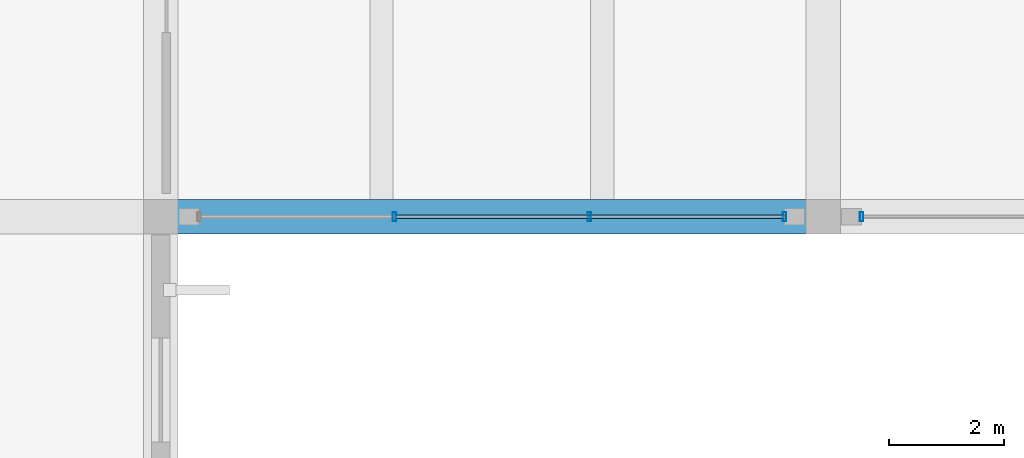
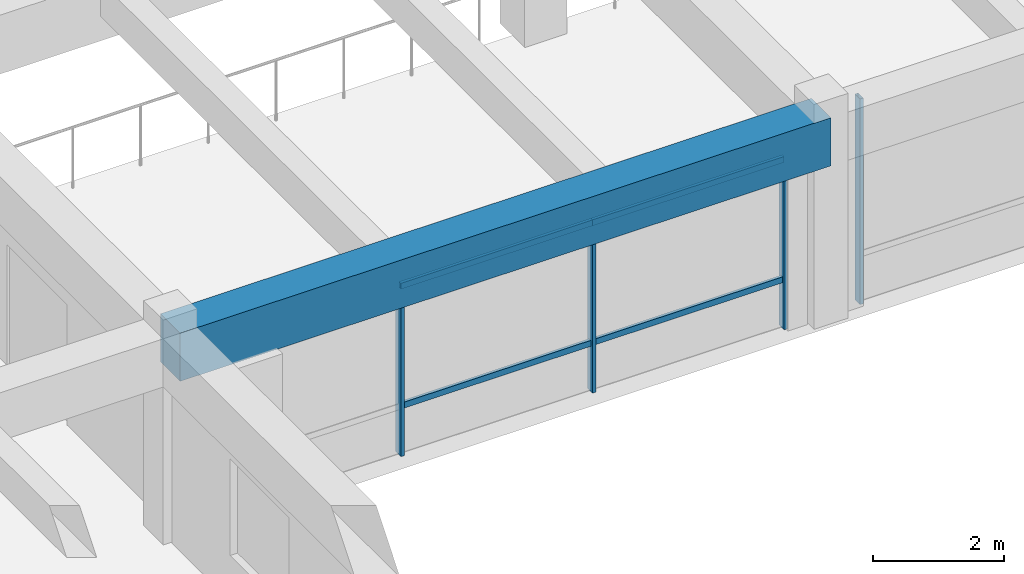
# One storey, part 6 of 98: 8 members, 1 beam, 2 elements without a shape of their own.
"""IFC4 building model written with IfcOpenShell, lengths in metres."""

from ifc_helpers import new_model, si_unit, direction, frame, origin, origin_2d, place, context, subcontext, project, spatial, rectangle, hollow_rectangle, extrude, material, material_profile, profile_set, type_object, element, aggregate, save


model = new_model("IFC4")

# Units and contexts
model_context = context("Model", 3, precision=1e-05, world=origin(), true_north=direction((0.0, 1.0)))
body_context = subcontext(model_context, "Body", "Model", "MODEL_VIEW")
ifc_project = project(units=[si_unit("LENGTHUNIT", "METRE"), si_unit("AREAUNIT", "SQUARE_METRE"), si_unit("VOLUMEUNIT", "CUBIC_METRE"), si_unit("PLANEANGLEUNIT", "RADIAN"), si_unit("MASSUNIT", "GRAM", prefix="KILO")], contexts=[model_context])

# Site, building, storey
site_placement = place(None, origin())
site = spatial("IfcSite", under=ifc_project, at=site_placement, CompositionType="ELEMENT")
building_placement = place(site_placement, origin())
building = spatial("IfcBuilding", under=site, at=building_placement, Name="Ologun Quay Terminus", CompositionType="ELEMENT")
storey_placement = place(building_placement, frame((0.0, 0.0, 4.199951171875)))
storey = spatial("IfcBuildingStorey", under=building, at=storey_placement, Name="L01", CompositionType="ELEMENT", Elevation=4.199951171875)

# Curtain wall, members
ifc_material_1 = material(Name="Aluminium 6063-T6", Category="aluminium")
curtain_wall_type = type_object("IfcCurtainWallType", Name="Forecourt Mezzanine Curtain Wall 10700x3850", PredefinedType="USERDEFINED", material=ifc_material_1)
curtain_wall_1_placement = place(storey_placement, origin())
curtain_wall_1 = element("IfcCurtainWall", 1, at=curtain_wall_1_placement, inside=storey, type_object=curtain_wall_type, Name="CW-04 Curtain Wall CW-L01-010", ObjectType="UNITISED CURTAIN WALL", PredefinedType="USERDEFINED")
ifc_material_2 = material(Name="Aluminium 6063-T6", Category="aluminium")
ifc_material_profile_1 = material_profile(ifc_material_2, hollow_rectangle(XDim=0.06005859375, YDim=0.159912109375, WallThickness=0.00390625, at=origin_2d()), Name="ALU 160x60x4")
ifc_profile_set_1 = profile_set([ifc_material_profile_1], Name="Aluminium 6063-T6")
member_type_1 = type_object("IfcMemberType", Name="Curtain Wall Standard Mullion 160x65", PredefinedType="MULLION", material=ifc_profile_set_1)
member_1_placement = place(storey_placement, frame((15.556640625, 27.199951171875, 0.0), z_axis=(0.0, 0.0, 1.0), x_axis=(1.0, 0.0, 0.0)))
member_1 = element("IfcMember", 2, at=member_1_placement, type_object=member_type_1, Name="CW-L01-010 Mullion 2", PredefinedType="MULLION", context=body_context, shape_type="SweptSolid", body=[
    extrude(hollow_rectangle(XDim=0.06005859375, YDim=0.159912109375, WallThickness=0.00390625, at=origin_2d()), origin(), (0.0, 0.0, 1.0), 3.840087890625),
])
member_2_placement = place(storey_placement, frame((18.943359375, 27.199951171875, 0.0), z_axis=(0.0, 0.0, 1.0), x_axis=(1.0, 0.0, 0.0)))
member_2 = element("IfcMember", 3, at=member_2_placement, type_object=member_type_1, Name="CW-L01-010 Mullion 3", PredefinedType="MULLION", context=body_context, shape_type="SweptSolid", body=[
    extrude(hollow_rectangle(XDim=0.06005859375, YDim=0.159912109375, WallThickness=0.00390625, at=origin_2d()), origin(), (0.0, 0.0, 1.0), 3.840087890625),
])
member_3_placement = place(storey_placement, frame((22.330078125, 27.199951171875, 0.0), z_axis=(0.0, 0.0, 1.0), x_axis=(1.0, 0.0, 0.0)))
member_3 = element("IfcMember", 4, at=member_3_placement, type_object=member_type_1, Name="CW-L01-010 Mullion 4", PredefinedType="MULLION", context=body_context, shape_type="SweptSolid", body=[
    extrude(hollow_rectangle(XDim=0.06005859375, YDim=0.159912109375, WallThickness=0.00390625, at=origin_2d()), origin(), (0.0, 0.0, 1.0), 3.840087890625),
])

# Curtain wall, member
curtain_wall_2_placement = place(storey_placement, origin())
curtain_wall_2 = element("IfcCurtainWall", 5, at=curtain_wall_2_placement, inside=storey, type_object=curtain_wall_type, Name="CW-04 Curtain Wall CW-L01-011", ObjectType="UNITISED CURTAIN WALL", PredefinedType="USERDEFINED")
member_4_placement = place(storey_placement, frame((23.669921875, 27.199951171875, 0.0), z_axis=(0.0, 0.0, 1.0), x_axis=(1.0, 0.0, 0.0)))
member_4 = element("IfcMember", 6, at=member_4_placement, type_object=member_type_1, Name="CW-L01-011 Mullion 1", PredefinedType="MULLION", context=body_context, shape_type="SweptSolid", body=[
    extrude(hollow_rectangle(XDim=0.06005859375, YDim=0.159912109375, WallThickness=0.00390625, at=origin_2d()), origin(), (0.0, 0.0, 1.0), 3.840087890625),
])
aggregate(curtain_wall_2, [member_4])

# Member
ifc_material_3 = material(Name="Aluminium 6063-T6", Category="aluminium")
ifc_material_profile_2 = material_profile(ifc_material_3, hollow_rectangle(XDim=0.054931640625, YDim=0.110107421875, WallThickness=0.00390625, at=origin_2d()), Name="ALU 110x55x4")
ifc_profile_set_2 = profile_set([ifc_material_profile_2], Name="Aluminium 6063-T6")
member_type_2 = type_object("IfcMemberType", Name="Curtain Wall Standard Transom 110x55", PredefinedType="USERDEFINED", material=ifc_profile_set_2)
member_5_placement = place(storey_placement, frame((15.556640625, 27.199951171875, 0.900146484375), z_axis=(1.0, 0.0, 0.0), x_axis=(0.0, 1.0, 0.0)))
member_5 = element("IfcMember", 7, at=member_5_placement, type_object=member_type_2, Name="CW-L01-010 Transom B2-1", ObjectType="TRANSOM", PredefinedType="USERDEFINED", context=body_context, shape_type="SweptSolid", body=[
    extrude(hollow_rectangle(XDim=0.054931640625, YDim=0.110107421875, WallThickness=0.00390625, at=origin_2d()), origin(), (0.0, 0.0, 1.0), 3.38671875),
])

member_6_placement = place(storey_placement, frame((15.556640625, 27.199951171875, 3.14013671875), z_axis=(1.0, 0.0, 0.0), x_axis=(0.0, 1.0, 0.0)))
member_6 = element("IfcMember", 8, at=member_6_placement, type_object=member_type_2, Name="CW-L01-010 Transom B2-2", ObjectType="TRANSOM", PredefinedType="USERDEFINED", context=body_context, shape_type="SweptSolid", body=[
    extrude(hollow_rectangle(XDim=0.054931640625, YDim=0.110107421875, WallThickness=0.00390625, at=origin_2d()), origin(), (0.0, 0.0, 1.0), 3.38671875),
])

member_7_placement = place(storey_placement, frame((18.943359375, 27.199951171875, 0.900146484375), z_axis=(1.0, 0.0, 0.0), x_axis=(0.0, 1.0, 0.0)))
member_7 = element("IfcMember", 9, at=member_7_placement, type_object=member_type_2, Name="CW-L01-010 Transom B3-1", ObjectType="TRANSOM", PredefinedType="USERDEFINED", context=body_context, shape_type="SweptSolid", body=[
    extrude(hollow_rectangle(XDim=0.054931640625, YDim=0.110107421875, WallThickness=0.00390625, at=origin_2d()), origin(), (0.0, 0.0, 1.0), 3.38671875),
])

member_8_placement = place(storey_placement, frame((18.943359375, 27.199951171875, 3.14013671875), z_axis=(1.0, 0.0, 0.0), x_axis=(0.0, 1.0, 0.0)))
member_8 = element("IfcMember", 10, at=member_8_placement, type_object=member_type_2, Name="CW-L01-010 Transom B3-2", ObjectType="TRANSOM", PredefinedType="USERDEFINED", context=body_context, shape_type="SweptSolid", body=[
    extrude(hollow_rectangle(XDim=0.054931640625, YDim=0.110107421875, WallThickness=0.00390625, at=origin_2d()), origin(), (0.0, 0.0, 1.0), 3.38671875),
])

aggregate(curtain_wall_1, [member_1, member_2, member_3, member_5, member_6, member_7, member_8])

# Beam
ifc_material_4 = material(Name="Concrete C40/50", Category="concrete")
ifc_material_profile_3 = material_profile(ifc_material_4, rectangle(XDim=0.60009765625, YDim=0.89990234375, at=origin_2d()), Name="RC 600x900")
ifc_profile_set_3 = profile_set([ifc_material_profile_3], Name="Concrete C40/50")
beam_type = type_object("IfcBeamType", Name="Station Frame Girder 600x900", PredefinedType="BEAM", material=ifc_profile_set_3)
beam_placement = place(storey_placement, frame((11.5, 27.199951171875, 3.400146484375), z_axis=(1.0, 0.0, 0.0), x_axis=(0.0, 1.0, 0.0)))
element("IfcBeam", 11, at=beam_placement, inside=storey, type_object=beam_type, Name="B3 Beam 2/D L01", PredefinedType="BEAM", context=body_context, shape_type="SweptSolid", body=[
    extrude(rectangle(XDim=0.60009765625, YDim=0.89990234375, at=origin_2d()), origin(), (0.0, 0.0, 1.0), 11.5),
])

save(model, "model.ifc")
